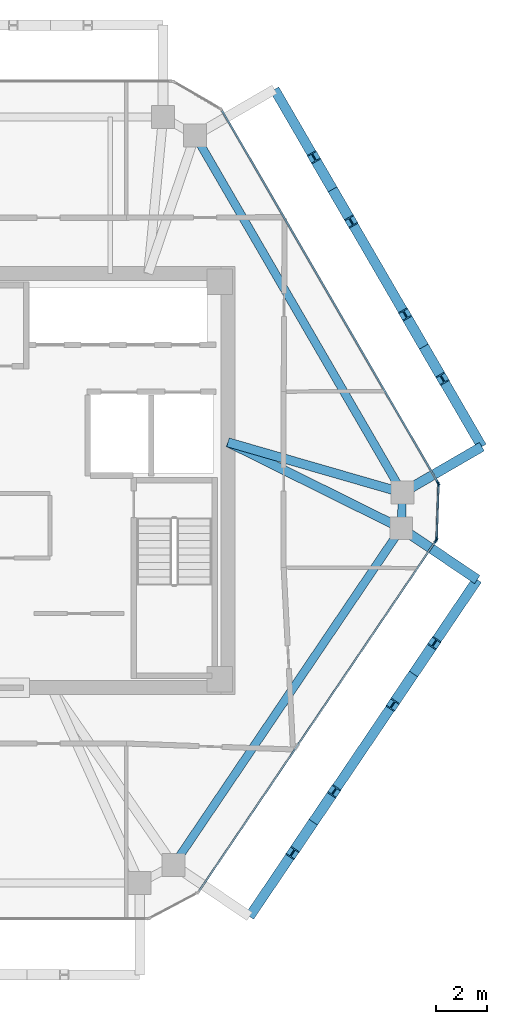
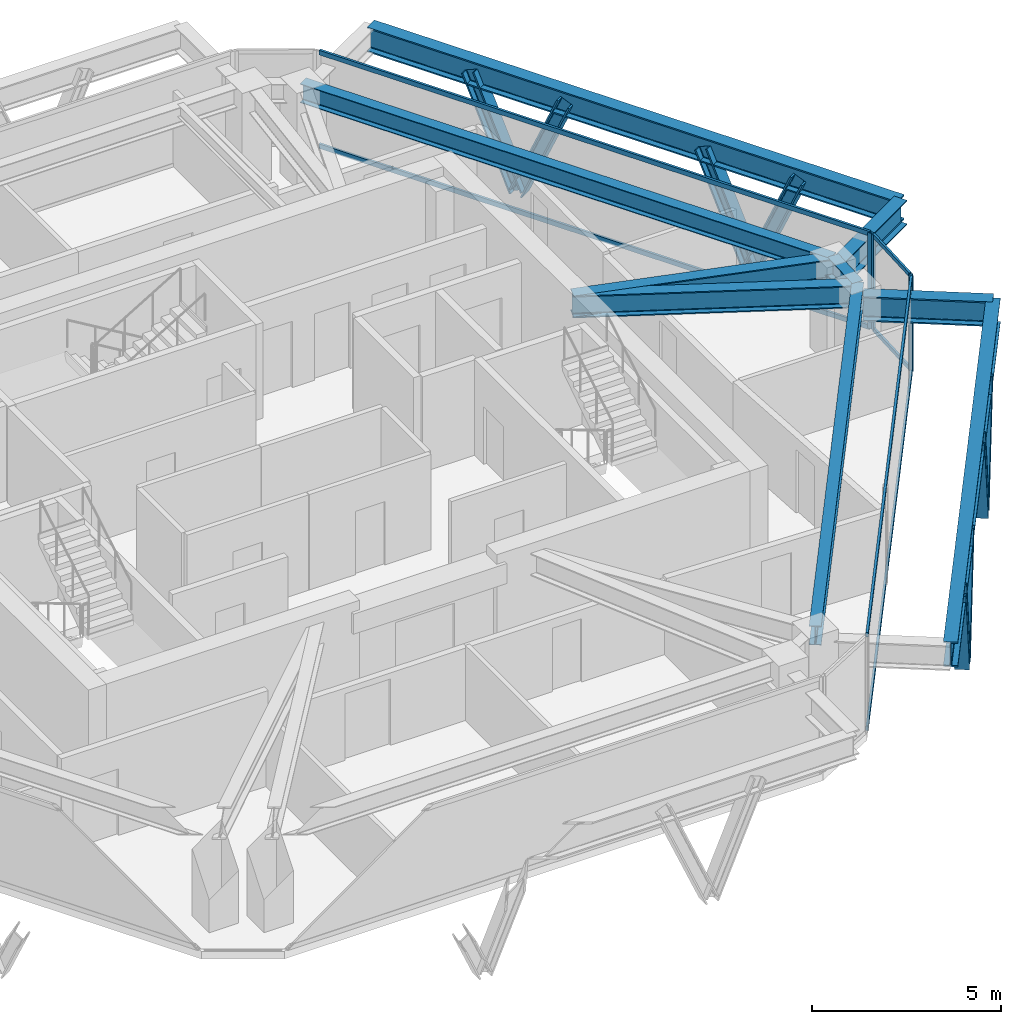
# One storey, part 5 of 11: 18 members, 9 beams, 3 elements without a shape of their own.
"""IFC4 building model written with IfcOpenShell, lengths in metres."""

from ifc_helpers import new_model, si_unit, direction, frame, origin, origin_2d, place, context, subcontext, project, spatial, rectangle, i_section, extrude, source, transform, mapped, material, layer, layer_set, material_profile, profile_set, type_object, type_shapes, element, aggregate, save


model = new_model("IFC4")

# Units and contexts
model_context = context("Model", 3, precision=1e-05, world=origin(), true_north=direction((0.0, 1.0)))
body_context = subcontext(model_context, "Body", "Model", "MODEL_VIEW")
ifc_project = project(units=[si_unit("LENGTHUNIT", "METRE"), si_unit("AREAUNIT", "SQUARE_METRE"), si_unit("VOLUMEUNIT", "CUBIC_METRE"), si_unit("PLANEANGLEUNIT", "RADIAN"), si_unit("MASSUNIT", "GRAM", prefix="KILO")], contexts=[model_context])

# Site, building, storey
site_placement = place(None, origin())
site = spatial("IfcSite", under=ifc_project, at=site_placement, CompositionType="ELEMENT")
building_placement = place(site_placement, origin())
building = spatial("IfcBuilding", under=site, at=building_placement, Name="Durnholm Broadcast Tower", CompositionType="ELEMENT")
storey_placement = place(building_placement, frame((0.0, 0.0, 264.89990234375)))
storey = spatial("IfcBuildingStorey", under=building, at=storey_placement, Name="L74", CompositionType="ELEMENT", Elevation=264.89990234375)

# Beams
ifc_material_1 = material(Name="Steel ASTM A992 Grade 50", Category="steel")
ifc_material_profile_1 = material_profile(ifc_material_1, i_section(OverallWidth=0.385009765625, OverallDepth=0.802978515625, WebThickness=0.023681640625, FlangeThickness=0.0419921875, FilletRadius=0.032958984375, at=origin_2d()), Name="W30X261")
ifc_profile_set_1 = profile_set([ifc_material_profile_1], Name="Steel ASTM A992 Grade 50")
beam_type_1 = type_object("IfcBeamType", Name="BM-EXO-TIE", PredefinedType="USERDEFINED", material=ifc_profile_set_1)
shared_shape_1 = source(origin(), body_context, "Body", "SweptSolid", [
    extrude(i_section(OverallWidth=0.385009765625, OverallDepth=0.802978515625, WebThickness=0.023681640625, FlangeThickness=0.0419921875, FilletRadius=0.032958984375, at=origin_2d()), origin(), (0.0, 0.0, 1.0), 3.4560546875),
])
beam_1_placement = place(storey_placement, frame((17.0947265625, -0.40380859375, 2.3486328125), z_axis=(0.864924479231, 0.501902027518, 0.0), x_axis=(-0.501902027518, 0.864924479231, 0.0)))
element("IfcBeam", 1, at=beam_1_placement, inside=storey, type_object=beam_type_1, Name="L74 exoskeleton stand-off tie bracket F3.1", ObjectType="GIRDER", PredefinedType="USERDEFINED", context=body_context, shape_type="MappedRepresentation", body=[
    mapped(shared_shape_1, transform((0.0, 0.0, 0.0), x_axis=(1.0, 0.0, 0.0), y_axis=(0.0, 1.0, 0.0), z_axis=(0.0, 0.0, 1.0), scale=1.0)),
])
shared_shape_2 = source(origin(), body_context, "Body", "SweptSolid", [
    extrude(i_section(OverallWidth=0.385009765625, OverallDepth=0.802978515625, WebThickness=0.023681640625, FlangeThickness=0.0419921875, FilletRadius=0.032958984375, at=origin_2d()), origin(), (0.0, 0.0, 1.0), 3.455810546875),
])
beam_2_placement = place(storey_placement, frame((17.041748046875, -1.95068359375, 2.3486328125), z_axis=(0.828446342252, -0.560068440469, 0.0), x_axis=(0.560068440469, 0.828446342252, 0.0)))
element("IfcBeam", 2, at=beam_2_placement, inside=storey, type_object=beam_type_1, Name="L74 exoskeleton stand-off tie bracket F2.2", ObjectType="GIRDER", PredefinedType="USERDEFINED", context=body_context, shape_type="MappedRepresentation", body=[
    mapped(shared_shape_2, transform((0.0, 0.0, 0.0), x_axis=(1.0, 0.0, 0.0), y_axis=(0.0, 1.0, 0.0), z_axis=(0.0, 0.0, 1.0), scale=1.0)),
])
ifc_material_profile_2 = material_profile(ifc_material_1, i_section(OverallWidth=0.3251953125, OverallDepth=0.6162109375, WebThickness=0.013916015625, FlangeThickness=0.021484375, FilletRadius=0.02783203125, at=origin_2d()), Name="W24X117")
ifc_profile_set_2 = profile_set([ifc_material_profile_2], Name="Steel ASTM A992 Grade 50")
beam_type_2 = type_object("IfcBeamType", Name="STL-SP-W24X117", PredefinedType="SPANDREL", material=ifc_profile_set_2)
shared_shape_3 = source(origin(), body_context, "Body", "SweptSolid", [
    extrude(i_section(OverallWidth=0.3251953125, OverallDepth=0.6162109375, WebThickness=0.013916015625, FlangeThickness=0.021484375, FilletRadius=0.02783203125, at=origin_2d()), origin(), (0.0, 0.0, 1.0), 1.39453125),
])
beam_3_placement = place(storey_placement, frame((16.97021484375, -0.47607421875, 2.777099609375), z_axis=(-0.034311541846, -0.999411185697, 0.0), x_axis=(0.999411185697, -0.034311541846, 0.0)))
element("IfcBeam", 3, at=beam_3_placement, inside=storey, type_object=beam_type_2, Name="L74 perimeter spandrel girder 08", PredefinedType="SPANDREL", context=body_context, shape_type="MappedRepresentation", body=[
    mapped(shared_shape_3, transform((0.0, 0.0, 0.0), x_axis=(1.0, 0.0, 0.0), y_axis=(0.0, 1.0, 0.0), z_axis=(0.0, 0.0, 1.0), scale=1.0)),
])
shared_shape_4 = source(origin(), body_context, "Body", "SweptSolid", [
    extrude(i_section(OverallWidth=0.3251953125, OverallDepth=0.6162109375, WebThickness=0.013916015625, FlangeThickness=0.021484375, FilletRadius=0.02783203125, at=origin_2d()), origin(), (0.0, 0.0, 1.0), 15.947265625),
])
beam_4_placement = place(storey_placement, frame((16.92236328125, -1.869873046875, 2.777099609375), z_axis=(-0.560062212489, -0.828450552623, 0.0), x_axis=(0.828450552623, -0.560062212489, 0.0)))
element("IfcBeam", 4, at=beam_4_placement, inside=storey, type_object=beam_type_2, Name="L74 perimeter spandrel girder 09", PredefinedType="SPANDREL", context=body_context, shape_type="MappedRepresentation", body=[
    mapped(shared_shape_4, transform((0.0, 0.0, 0.0), x_axis=(1.0, 0.0, 0.0), y_axis=(0.0, 1.0, 0.0), z_axis=(0.0, 0.0, 1.0), scale=1.0)),
])
shared_shape_5 = source(origin(), body_context, "Body", "SweptSolid", [
    extrude(i_section(OverallWidth=0.3251953125, OverallDepth=0.6162109375, WebThickness=0.013916015625, FlangeThickness=0.021484375, FilletRadius=0.02783203125, at=origin_2d()), origin(), (0.0, 0.0, 1.0), 16.20263671875),
])
type_shapes(beam_type_2, [shared_shape_3, shared_shape_4, shared_shape_5])
beam_5_placement = place(storey_placement, frame((8.83740234375, 13.53759765625, 2.777099609375), z_axis=(0.501943573333, -0.864900369516, 0.0), x_axis=(0.864900369516, 0.501943573333, 0.0)))
element("IfcBeam", 5, at=beam_5_placement, inside=storey, type_object=beam_type_2, Name="L74 perimeter spandrel girder 07", PredefinedType="SPANDREL", context=body_context, shape_type="MappedRepresentation", body=[
    mapped(shared_shape_5, transform((0.0, 0.0, 0.0), x_axis=(1.0, 0.0, 0.0), y_axis=(0.0, 1.0, 0.0), z_axis=(0.0, 0.0, 1.0), scale=1.0)),
])
shared_shape_6 = source(origin(), body_context, "Body", "SweptSolid", [
    extrude(i_section(OverallWidth=0.385009765625, OverallDepth=0.802978515625, WebThickness=0.023681640625, FlangeThickness=0.0419921875, FilletRadius=0.032958984375, at=origin_2d()), origin(), (0.0, 0.0, 1.0), 15.947021484375),
])
beam_6_placement = place(storey_placement, frame((10.973388671875, -17.097412109375, 2.3486328125), z_axis=(0.560069315853, 0.828445750451, 0.0), x_axis=(-0.828445750451, 0.560069315853, 0.0)))
element("IfcBeam", 6, at=beam_6_placement, inside=storey, type_object=beam_type_1, Name="L74 exoskeleton collector spandrel F2", PredefinedType="SPANDREL", context=body_context, shape_type="MappedRepresentation", body=[
    mapped(shared_shape_6, transform((0.0, 0.0, 0.0), x_axis=(1.0, 0.0, 0.0), y_axis=(0.0, 1.0, 0.0), z_axis=(0.0, 0.0, 1.0), scale=1.0)),
])
shared_shape_7 = source(origin(), body_context, "Body", "SweptSolid", [
    extrude(i_section(OverallWidth=0.385009765625, OverallDepth=0.802978515625, WebThickness=0.023681640625, FlangeThickness=0.0419921875, FilletRadius=0.032958984375, at=origin_2d()), origin(), (0.0, 0.0, 1.0), 16.202880859375),
])
type_shapes(beam_type_1, [shared_shape_1, shared_shape_2, shared_shape_6, shared_shape_7])
beam_7_placement = place(storey_placement, frame((20.083984375, 1.330810546875, 2.3486328125), z_axis=(-0.501948303381, 0.864897624423, 0.0), x_axis=(-0.864897624423, -0.501948303381, 0.0)))
element("IfcBeam", 7, at=beam_7_placement, inside=storey, type_object=beam_type_1, Name="L74 exoskeleton collector spandrel F3", PredefinedType="SPANDREL", context=body_context, shape_type="MappedRepresentation", body=[
    mapped(shared_shape_7, transform((0.0, 0.0, 0.0), x_axis=(1.0, 0.0, 0.0), y_axis=(0.0, 1.0, 0.0), z_axis=(0.0, 0.0, 1.0), scale=1.0)),
])
ifc_material_profile_3 = material_profile(ifc_material_1, i_section(OverallWidth=0.3564453125, OverallDepth=0.713623046875, WebThickness=0.01904296875, FlangeThickness=0.033935546875, FilletRadius=0.030517578125, at=origin_2d()), Name="W27X194")
ifc_profile_set_3 = profile_set([ifc_material_profile_3], Name="Steel ASTM A992 Grade 50")
beam_type_3 = type_object("IfcBeamType", Name="STL-GR-W27X194", PredefinedType="USERDEFINED", material=ifc_profile_set_3)
shared_shape_8 = source(origin(), body_context, "Body", "SweptSolid", [
    extrude(i_section(OverallWidth=0.3564453125, OverallDepth=0.713623046875, WebThickness=0.01904296875, FlangeThickness=0.033935546875, FilletRadius=0.030517578125, at=origin_2d()), origin(), (0.0, 0.0, 1.0), 7.124755859375),
])
beam_8_placement = place(storey_placement, frame((10.125, 1.5, 2.728271484375), z_axis=(0.960767767054, -0.277354101809, 0.0), x_axis=(0.277354101809, 0.960767767054, 0.0)))
element("IfcBeam", 8, at=beam_8_placement, inside=storey, type_object=beam_type_3, Name="L74 radial primary floor girder 08", ObjectType="GIRDER", PredefinedType="USERDEFINED", context=body_context, shape_type="MappedRepresentation", body=[
    mapped(shared_shape_8, transform((0.0, 0.0, 0.0), x_axis=(1.0, 0.0, 0.0), y_axis=(0.0, 1.0, 0.0), z_axis=(0.0, 0.0, 1.0), scale=1.0)),
])
shared_shape_9 = source(origin(), body_context, "Body", "SweptSolid", [
    extrude(i_section(OverallWidth=0.3564453125, OverallDepth=0.713623046875, WebThickness=0.01904296875, FlangeThickness=0.033935546875, FilletRadius=0.030517578125, at=origin_2d()), origin(), (0.0, 0.0, 1.0), 7.5869140625),
])
type_shapes(beam_type_3, [shared_shape_8, shared_shape_9])
beam_9_placement = place(storey_placement, frame((10.125, 1.5, 2.728271484375), z_axis=(0.895940903598, -0.444173273916, 0.0), x_axis=(0.444173273916, 0.895940903598, 0.0)))
element("IfcBeam", 9, at=beam_9_placement, inside=storey, type_object=beam_type_3, Name="L74 radial primary floor girder 09", ObjectType="GIRDER", PredefinedType="USERDEFINED", context=body_context, shape_type="MappedRepresentation", body=[
    mapped(shared_shape_9, transform((0.0, 0.0, 0.0), x_axis=(1.0, 0.0, 0.0), y_axis=(0.0, 1.0, 0.0), z_axis=(0.0, 0.0, 1.0), scale=1.0)),
])

# Members
ifc_material_2 = material(Name="Steel ASTM A913 Grade 65", Category="steel")
ifc_material_profile_4 = material_profile(ifc_material_2, i_section(OverallWidth=0.40625, OverallDepth=0.416015625, WebThickness=0.02978515625, FlangeThickness=0.048095703125, FilletRadius=0.030517578125, at=origin_2d()), Name="W14X257")
ifc_profile_set_4 = profile_set([ifc_material_profile_4], Name="Steel ASTM A913 Grade 65")
member_type_1 = type_object("IfcMemberType", Name="STL-DG-W14X257", PredefinedType="BRACE", material=ifc_profile_set_4)
shared_shape_10 = source(origin(), body_context, "Body", "SweptSolid", [
    extrude(i_section(OverallWidth=0.40625, OverallDepth=0.416015625, WebThickness=0.02978515625, FlangeThickness=0.048095703125, FilletRadius=0.030517578125, at=origin_2d()), origin(), (0.0, 0.0, 1.0), 3.699462890625),
])
member_1_placement = place(storey_placement, frame((14.228271484375, 11.4208984375, -1.051513671875), z_axis=(-0.197842946098, 0.340846836757, 0.919065613845), x_axis=(-0.864863994925, -0.502006245263, 0.0)))
element("IfcMember", 10, at=member_1_placement, inside=storey, type_object=member_type_1, Name="L74 stand-off diagrid brace F3.D2.2", PredefinedType="BRACE", context=body_context, shape_type="MappedRepresentation", body=[
    mapped(shared_shape_10, transform((0.0, 0.0, 0.0), x_axis=(1.0, 0.0, 0.0), y_axis=(0.0, 1.0, 0.0), z_axis=(0.0, 0.0, 1.0), scale=1.0)),
])
shared_shape_11 = source(origin(), body_context, "Body", "SweptSolid", [
    extrude(i_section(OverallWidth=0.40625, OverallDepth=0.416015625, WebThickness=0.02978515625, FlangeThickness=0.048095703125, FilletRadius=0.030517578125, at=origin_2d()), origin(), (0.0, 0.0, 1.0), 3.69970703125),
])
type_shapes(member_type_1, [shared_shape_10, shared_shape_11])
for number, where, z_axis, x_axis, name in (
    (11, (13.47412109375, -13.398193359375, -1.051513671875), (-0.220734165395, -0.326580981925, 0.91903280163), (0.828505003222, -0.559981660089, 0.0), "L74 stand-off diagrid brace F2.D1.1"),
    (12, (13.47412109375, -13.398193359375, -1.051513671875), (0.220738922076, 0.326522028829, 0.919052606204), (-0.828452496411, 0.560059337206, 0.0), "L74 stand-off diagrid brace F2.D1.2"),
    (13, (17.404052734375, -7.585205078125, -1.051513671875), (-0.220734165395, -0.326580981925, 0.91903280163), (0.828505003222, -0.559981660089, 0.0), "L74 stand-off diagrid brace F2.D2.1"),
    (14, (17.404052734375, -7.585205078125, -1.051513671875), (0.220738922076, 0.326522028829, 0.919052606204), (-0.828452496411, 0.560059337206, 0.0), "L74 stand-off diagrid brace F2.D2.2"),
    (15, (17.806640625, 5.2548828125, -1.051513671875), (0.197838495728, -0.340905159749, 0.919044939959), (0.864906184135, 0.501933554014, 0.0), "L74 stand-off diagrid brace F3.D1.1"),
    (16, (17.806640625, 5.2548828125, -1.051513671875), (-0.197838495728, 0.340905159749, 0.919044939959), (-0.864906184135, -0.501933554014, 0.0), "L74 stand-off diagrid brace F3.D1.2"),
    (17, (14.228271484375, 11.4208984375, -1.051513671875), (0.197838495728, -0.340905159749, 0.919044939959), (0.864906184135, 0.501933554014, 0.0), "L74 stand-off diagrid brace F3.D2.1"),
):
    element("IfcMember", number, at=place(storey_placement, frame(where, z_axis=z_axis, x_axis=x_axis)), inside=storey, type_object=member_type_1, Name=name, PredefinedType="BRACE", context=body_context, shape_type="MappedRepresentation", body=[
        mapped(shared_shape_11, transform((0.0, 0.0, 0.0), x_axis=(1.0, 0.0, 0.0), y_axis=(0.0, 1.0, 0.0), z_axis=(0.0, 0.0, 1.0), scale=1.0)),
    ])

# Curtain wall, members
ifc_material_3 = material(Name="Aluminium and Solar Control IGU", Category="aluminium")
ifc_layer_1 = layer(ifc_material_3, 0.1650390625)
ifc_layer_set_1 = layer_set([ifc_layer_1], Name="Aluminium and Solar Control IGU")
curtain_wall_type_1 = type_object("IfcCurtainWallType", Name="CW-SYS-5", PredefinedType="NOTDEFINED", material=ifc_layer_set_1)
curtain_wall_1_placement = place(storey_placement, origin())
curtain_wall_1 = element("IfcCurtainWall", 18, at=curtain_wall_1_placement, inside=storey, type_object=curtain_wall_type_1, Name="L74 curtain wall CW-CORNER CW-L74-CRN-07", PredefinedType="NOTDEFINED")
ifc_material_4 = material(Name="Aluminium 6063-T6", Category="aluminium")
ifc_material_profile_5 = material_profile(ifc_material_4, rectangle(XDim=0.06494140625, YDim=0.1298828125, at=origin_2d()), Name="CWT65X130")
ifc_profile_set_5 = profile_set([ifc_material_profile_5], Name="Aluminium 6063-T6")
member_type_2 = type_object("IfcMemberType", Name="CW-SYS-5-TRN", PredefinedType="USERDEFINED", material=ifc_profile_set_5)
shared_shape_12 = source(origin(), body_context, "Body", "SweptSolid", [
    extrude(rectangle(XDim=0.06494140625, YDim=0.1298828125, at=origin_2d()), origin(), (0.0, 0.0, 1.0), 2.06982421875),
])
type_shapes(member_type_2, [shared_shape_12])
member_2_placement = place(storey_placement, frame((18.381103515625, -0.186767578125, 0.03271484375), z_axis=(-0.034324150719, -0.999410752733, 0.0), x_axis=(0.999410752733, -0.034324150719, 0.0)))
member_2 = element("IfcMember", 19, at=member_2_placement, type_object=member_type_2, Name="CW-CORNER transom 1.1", ObjectType="TRANSOM", PredefinedType="USERDEFINED", context=body_context, shape_type="MappedRepresentation", body=[
    mapped(shared_shape_12, transform((0.0, 0.0, 0.0), x_axis=(1.0, 0.0, 0.0), y_axis=(0.0, 1.0, 0.0), z_axis=(0.0, 0.0, 1.0), scale=1.0)),
])
member_3_placement = place(storey_placement, frame((18.381103515625, -0.186767578125, 3.067626953125), z_axis=(-0.034324150719, -0.999410752733, 0.0), x_axis=(0.999410752733, -0.034324150719, 0.0)))
member_3 = element("IfcMember", 20, at=member_3_placement, type_object=member_type_2, Name="CW-CORNER transom 1.2", ObjectType="TRANSOM", PredefinedType="USERDEFINED", context=body_context, shape_type="MappedRepresentation", body=[
    mapped(shared_shape_12, transform((0.0, 0.0, 0.0), x_axis=(1.0, 0.0, 0.0), y_axis=(0.0, 1.0, 0.0), z_axis=(0.0, 0.0, 1.0), scale=1.0)),
])

ifc_layer_2 = layer(ifc_material_3, 0.18994140625)
ifc_layer_set_2 = layer_set([ifc_layer_2], Name="Aluminium and Solar Control IGU")
curtain_wall_type_2 = type_object("IfcCurtainWallType", Name="CW-SYS-4", PredefinedType="NOTDEFINED", material=ifc_layer_set_2)
curtain_wall_2_placement = place(storey_placement, origin())
curtain_wall_2 = element("IfcCurtainWall", 21, at=curtain_wall_2_placement, inside=storey, type_object=curtain_wall_type_2, Name="L74 curtain wall CW-Z34-VIS CW-L74-F08", PredefinedType="NOTDEFINED")
ifc_material_profile_6 = material_profile(ifc_material_4, rectangle(XDim=0.070068359375, YDim=0.14990234375, at=origin_2d()), Name="CWT70X150")
ifc_profile_set_6 = profile_set([ifc_material_profile_6], Name="Aluminium 6063-T6")
member_type_3 = type_object("IfcMemberType", Name="CW-SYS-4-TRN", PredefinedType="USERDEFINED", material=ifc_profile_set_6)
shared_shape_13 = source(origin(), body_context, "Body", "SweptSolid", [
    extrude(rectangle(XDim=0.070068359375, YDim=0.14990234375, at=origin_2d()), origin(), (0.0, 0.0, 1.0), 16.55859375),
])
member_4_placement = place(storey_placement, frame((18.2685546875, -2.37841796875, 0.03515625), z_axis=(-0.560071338091, -0.828444383317, 0.0), x_axis=(0.828444383317, -0.560071338091, 0.0)))
member_4 = element("IfcMember", 22, at=member_4_placement, type_object=member_type_3, Name="CW-Z34-VIS transom 1.1", ObjectType="TRANSOM", PredefinedType="USERDEFINED", context=body_context, shape_type="MappedRepresentation", body=[
    mapped(shared_shape_13, transform((0.0, 0.0, 0.0), x_axis=(1.0, 0.0, 0.0), y_axis=(0.0, 1.0, 0.0), z_axis=(0.0, 0.0, 1.0), scale=1.0)),
])
member_5_placement = place(storey_placement, frame((18.2685546875, -2.37841796875, 3.065185546875), z_axis=(-0.560071338091, -0.828444383317, 0.0), x_axis=(0.828444383317, -0.560071338091, 0.0)))
member_5 = element("IfcMember", 23, at=member_5_placement, type_object=member_type_3, Name="CW-Z34-VIS transom 1.2", ObjectType="TRANSOM", PredefinedType="USERDEFINED", context=body_context, shape_type="MappedRepresentation", body=[
    mapped(shared_shape_13, transform((0.0, 0.0, 0.0), x_axis=(1.0, 0.0, 0.0), y_axis=(0.0, 1.0, 0.0), z_axis=(0.0, 0.0, 1.0), scale=1.0)),
])

curtain_wall_3_placement = place(storey_placement, origin())
curtain_wall_3 = element("IfcCurtainWall", 24, at=curtain_wall_3_placement, inside=storey, type_object=curtain_wall_type_2, Name="L74 curtain wall CW-Z34-VIS CW-L74-F06", PredefinedType="NOTDEFINED")
shared_shape_14 = source(origin(), body_context, "Body", "SweptSolid", [
    extrude(rectangle(XDim=0.070068359375, YDim=0.14990234375, at=origin_2d()), origin(), (0.0, 0.0, 1.0), 16.83984375),
])
type_shapes(member_type_3, [shared_shape_13, shared_shape_14])
member_6_placement = place(storey_placement, frame((9.8955078125, 14.503662109375, 0.03515625), z_axis=(0.501945239029, -0.86489940283, 0.0), x_axis=(0.86489940283, 0.501945239029, 0.0)))
member_6 = element("IfcMember", 25, at=member_6_placement, type_object=member_type_3, Name="CW-Z34-VIS transom 1.1", ObjectType="TRANSOM", PredefinedType="USERDEFINED", context=body_context, shape_type="MappedRepresentation", body=[
    mapped(shared_shape_14, transform((0.0, 0.0, 0.0), x_axis=(1.0, 0.0, 0.0), y_axis=(0.0, 1.0, 0.0), z_axis=(0.0, 0.0, 1.0), scale=1.0)),
])
member_7_placement = place(storey_placement, frame((9.8955078125, 14.503662109375, 3.065185546875), z_axis=(0.501945239029, -0.86489940283, 0.0), x_axis=(0.86489940283, 0.501945239029, 0.0)))
member_7 = element("IfcMember", 26, at=member_7_placement, type_object=member_type_3, Name="CW-Z34-VIS transom 1.2", ObjectType="TRANSOM", PredefinedType="USERDEFINED", context=body_context, shape_type="MappedRepresentation", body=[
    mapped(shared_shape_14, transform((0.0, 0.0, 0.0), x_axis=(1.0, 0.0, 0.0), y_axis=(0.0, 1.0, 0.0), z_axis=(0.0, 0.0, 1.0), scale=1.0)),
])

# Member
ifc_material_profile_7 = material_profile(ifc_material_4, rectangle(XDim=0.06494140625, YDim=0.1650390625, at=origin_2d()), Name="CWM65X165")
ifc_profile_set_7 = profile_set([ifc_material_profile_7], Name="Aluminium 6063-T6")
member_type_4 = type_object("IfcMemberType", Name="CW-SYS-5-MUL", PredefinedType="MULLION", material=ifc_profile_set_7)
shared_shape_15 = source(origin(), body_context, "Body", "SweptSolid", [
    extrude(rectangle(XDim=0.06494140625, YDim=0.1650390625, at=origin_2d()), origin(), (0.0, 0.0, 1.0), 3.10009765625),
])
type_shapes(member_type_4, [shared_shape_15])
member_8_placement = place(storey_placement, frame((18.382080078125, -0.154296875, 0.0), z_axis=(0.0, 0.0, 1.0), x_axis=(0.999410955514, -0.034318245849, 0.0)))
member_8 = element("IfcMember", 27, at=member_8_placement, type_object=member_type_4, Name="CW-CORNER mullion 1", PredefinedType="MULLION", context=body_context, shape_type="MappedRepresentation", body=[
    mapped(shared_shape_15, transform((0.0, 0.0, 0.0), x_axis=(1.0, 0.0, 0.0), y_axis=(0.0, 1.0, 0.0), z_axis=(0.0, 0.0, 1.0), scale=1.0)),
])

member_9_placement = place(storey_placement, frame((18.308837890625, -2.287841796875, 0.0), z_axis=(0.0, 0.0, 1.0), x_axis=(0.999410955514, -0.034318245849, 0.0)))
member_9 = element("IfcMember", 28, at=member_9_placement, type_object=member_type_4, Name="CW-CORNER mullion 2", PredefinedType="MULLION", context=body_context, shape_type="MappedRepresentation", body=[
    mapped(shared_shape_15, transform((0.0, 0.0, 0.0), x_axis=(1.0, 0.0, 0.0), y_axis=(0.0, 1.0, 0.0), z_axis=(0.0, 0.0, 1.0), scale=1.0)),
])

aggregate(curtain_wall_1, [member_8, member_9, member_2, member_3])

ifc_material_profile_8 = material_profile(ifc_material_4, rectangle(XDim=0.070068359375, YDim=0.18994140625, at=origin_2d()), Name="CWM70X190")
ifc_profile_set_8 = profile_set([ifc_material_profile_8], Name="Aluminium 6063-T6")
member_type_5 = type_object("IfcMemberType", Name="CW-SYS-4-MUL", PredefinedType="MULLION", material=ifc_profile_set_8)
shared_shape_16 = source(origin(), body_context, "Body", "SweptSolid", [
    extrude(rectangle(XDim=0.070068359375, YDim=0.18994140625, at=origin_2d()), origin(), (0.0, 0.0, 1.0), 3.10009765625),
])
type_shapes(member_type_5, [shared_shape_16])
member_10_placement = place(storey_placement, frame((18.36572265625, -0.09130859375, 0.0), z_axis=(0.0, 0.0, 1.0), x_axis=(0.864899883824, 0.50194441023, 0.0)))
member_10 = element("IfcMember", 29, at=member_10_placement, type_object=member_type_5, Name="CW-Z34-VIS mullion 2", PredefinedType="MULLION", context=body_context, shape_type="MappedRepresentation", body=[
    mapped(shared_shape_16, transform((0.0, 0.0, 0.0), x_axis=(1.0, 0.0, 0.0), y_axis=(0.0, 1.0, 0.0), z_axis=(0.0, 0.0, 1.0), scale=1.0)),
])

aggregate(curtain_wall_3, [member_10, member_6, member_7])

member_11_placement = place(storey_placement, frame((18.2880859375, -2.349365234375, 0.0), z_axis=(0.0, 0.0, 1.0), x_axis=(0.828443431662, -0.560072745753, 0.0)))
member_11 = element("IfcMember", 30, at=member_11_placement, type_object=member_type_5, Name="CW-Z34-VIS mullion 1", PredefinedType="MULLION", context=body_context, shape_type="MappedRepresentation", body=[
    mapped(shared_shape_16, transform((0.0, 0.0, 0.0), x_axis=(1.0, 0.0, 0.0), y_axis=(0.0, 1.0, 0.0), z_axis=(0.0, 0.0, 1.0), scale=1.0)),
])

aggregate(curtain_wall_2, [member_11, member_4, member_5])

save(model, "model.ifc")
